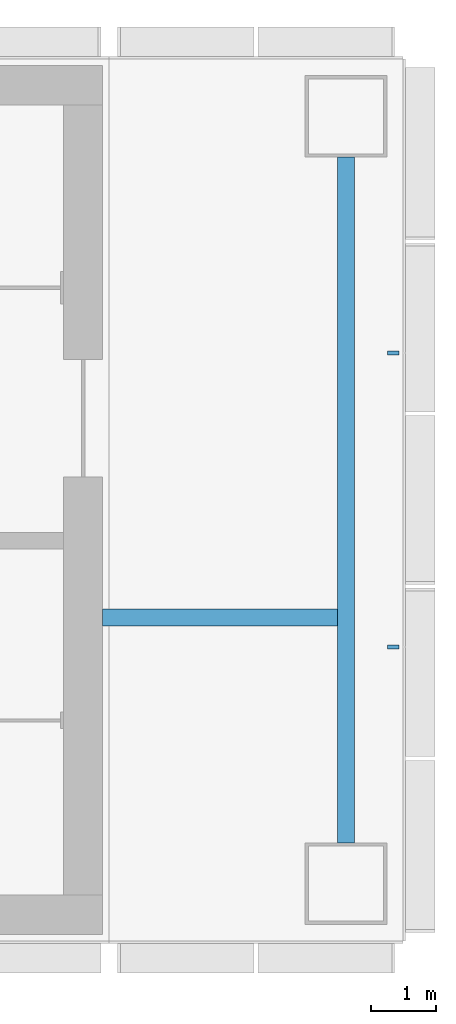
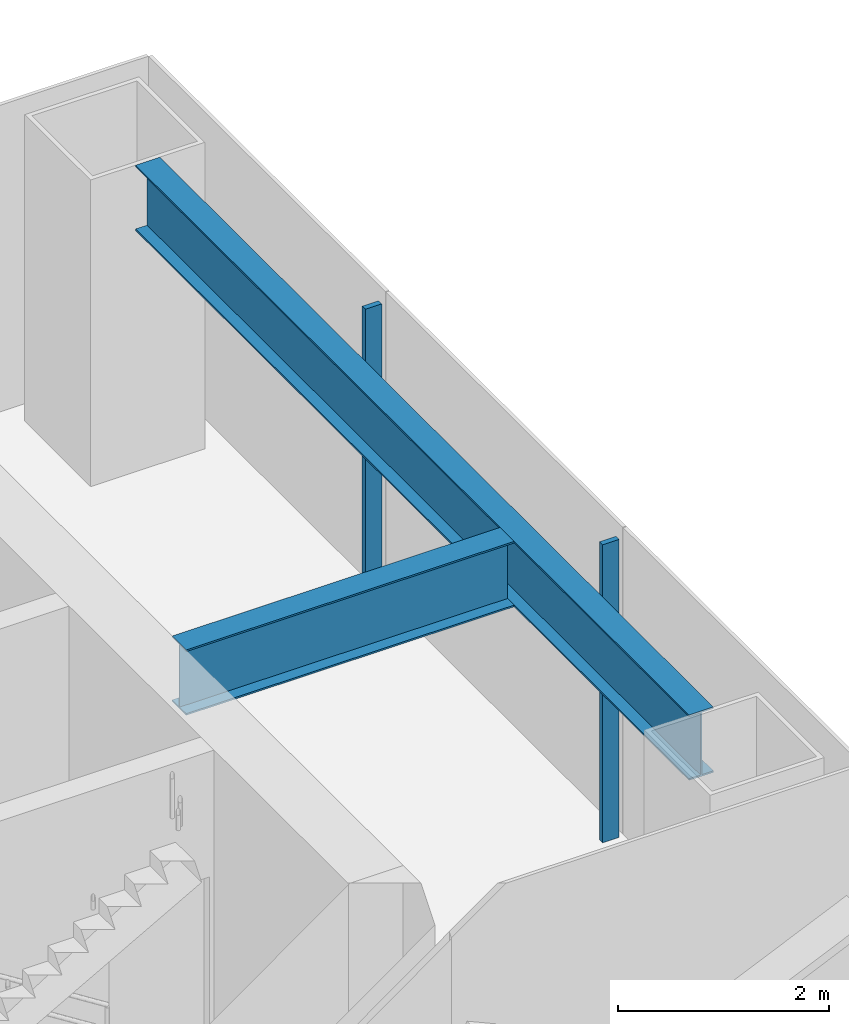
# One storey, part 7 of 20: 2 beams, 2 members, 1 element without a shape of its own.
"""IFC4 building model written with IfcOpenShell, lengths in metres."""

from ifc_helpers import new_model, si_unit, direction, frame, origin, origin_2d, place, context, subcontext, project, spatial, rectangle, i_section, extrude, material, layer, layer_set, material_profile, profile_set, type_object, element, aggregate, save


model = new_model("IFC4")

# Units and contexts
model_context = context("Model", 3, precision=1e-05, world=origin(), true_north=direction((0.0, 1.0)))
body_context = subcontext(model_context, "Body", "Model", "MODEL_VIEW")
ifc_project = project(units=[si_unit("LENGTHUNIT", "METRE"), si_unit("AREAUNIT", "SQUARE_METRE"), si_unit("VOLUMEUNIT", "CUBIC_METRE"), si_unit("PLANEANGLEUNIT", "RADIAN"), si_unit("MASSUNIT", "GRAM", prefix="KILO")], contexts=[model_context])

# Site, building, storey
site_placement = place(None, origin())
site = spatial("IfcSite", under=ifc_project, at=site_placement, CompositionType="ELEMENT")
building_placement = place(site_placement, origin())
building = spatial("IfcBuilding", under=site, at=building_placement, Name="Shamsa Quay Exchange Towers", CompositionType="ELEMENT")
storey_placement = place(building_placement, frame((0.0, 0.0, 105.300048828125)))
storey = spatial("IfcBuildingStorey", under=building, at=storey_placement, Name="L24", CompositionType="ELEMENT", Elevation=105.300048828125)

# Curtain wall, members
ifc_material_1 = material(Name="Aluminium EN AW-6063 T6, black anodised", Category="aluminium")
ifc_layer = layer(ifc_material_1, 0.280029296875)
ifc_layer_set = layer_set([ifc_layer], Name="CW-1 UNITISED VISION GLASS")
curtain_wall_type = type_object("IfcCurtainWallType", Name="CW-1 UNITISED VISION GLASS", PredefinedType="NOTDEFINED", material=ifc_layer_set)
curtain_wall_placement = place(storey_placement, origin())
curtain_wall = element("IfcCurtainWall", 1, at=curtain_wall_placement, inside=storey, type_object=curtain_wall_type, Name="CW1 T2-END-V- L24", PredefinedType="NOTDEFINED")
ifc_material_profile_1 = material_profile(ifc_material_1, rectangle(XDim=0.179931640625, YDim=0.06005859375, at=origin_2d()), Name="MU60x180")
ifc_profile_set_1 = profile_set([ifc_material_profile_1], Name="Aluminium EN AW-6063 T6, black anodised")
member_type = type_object("IfcMemberType", Name="CW1 MULLION 60x180", PredefinedType="MULLION", material=ifc_profile_set_1)
member_1_placement = place(storey_placement, frame((58.35009765625, -2.25, 0.0), z_axis=(0.0, 0.0, 1.0), x_axis=(-1.0, 0.0, 0.0)))
member_1 = element("IfcMember", 2, at=member_1_placement, type_object=member_type, Name="CW1 mullion", PredefinedType="MULLION", context=body_context, shape_type="SweptSolid", body=[
    extrude(rectangle(XDim=0.179931640625, YDim=0.06005859375, at=origin_2d()), origin(), (0.0, 0.0, 1.0), 3.449951171875),
])
member_2_placement = place(storey_placement, frame((58.35009765625, 2.25, 0.0), z_axis=(0.0, 0.0, 1.0), x_axis=(-1.0, 0.0, 0.0)))
member_2 = element("IfcMember", 3, at=member_2_placement, type_object=member_type, Name="CW1 mullion", PredefinedType="MULLION", context=body_context, shape_type="SweptSolid", body=[
    extrude(rectangle(XDim=0.179931640625, YDim=0.06005859375, at=origin_2d()), origin(), (0.0, 0.0, 1.0), 3.449951171875),
])
aggregate(curtain_wall, [member_1, member_2])

# Beams
ifc_material_2 = material(Name="Steel S355", Category="steel")
ifc_material_profile_2 = material_profile(ifc_material_2, i_section(OverallWidth=0.26611328125, OverallDepth=0.7578125, WebThickness=0.013916015625, FlangeThickness=0.019287109375, at=origin_2d()), Name="W30x108")
ifc_profile_set_2 = profile_set([ifc_material_profile_2], Name="Steel S355")
beam_type = type_object("IfcBeamType", Name="End-zone beam W30x108", PredefinedType="BEAM", material=ifc_profile_set_2)
beam_1_placement = place(storey_placement, frame((57.625, -5.25, 3.171142578125), z_axis=(0.0, 1.0, 0.0), x_axis=(-1.0, 0.0, 0.0)))
element("IfcBeam", 4, at=beam_1_placement, inside=storey, type_object=beam_type, Name="End beam T2 V- end zone L24", PredefinedType="BEAM", context=body_context, shape_type="SweptSolid", body=[
    extrude(i_section(OverallWidth=0.26611328125, OverallDepth=0.7578125, WebThickness=0.013916015625, FlangeThickness=0.019287109375, at=origin_2d()), origin(), (0.0, 0.0, 1.0), 10.5),
])
beam_2_placement = place(storey_placement, frame((53.89990234375, -1.800048828125, 3.171142578125), z_axis=(1.0, 0.0, 0.0), x_axis=(0.0, 1.0, 0.0)))
element("IfcBeam", 5, at=beam_2_placement, inside=storey, type_object=beam_type, Name="Spine beam T2 V- end zone L24", PredefinedType="BEAM", context=body_context, shape_type="SweptSolid", body=[
    extrude(i_section(OverallWidth=0.26611328125, OverallDepth=0.7578125, WebThickness=0.013916015625, FlangeThickness=0.019287109375, at=origin_2d()), origin(), (0.0, 0.0, 1.0), 3.592041015625),
])

save(model, "model.ifc")
